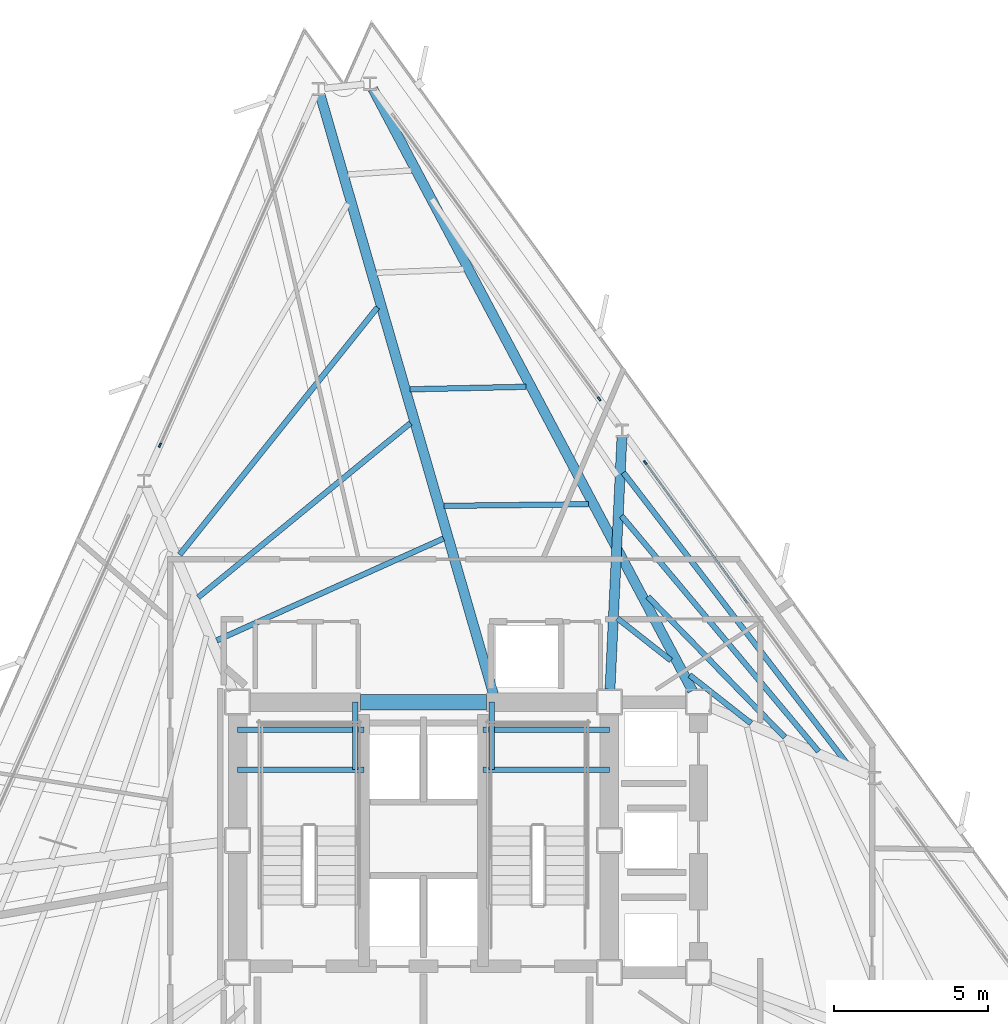
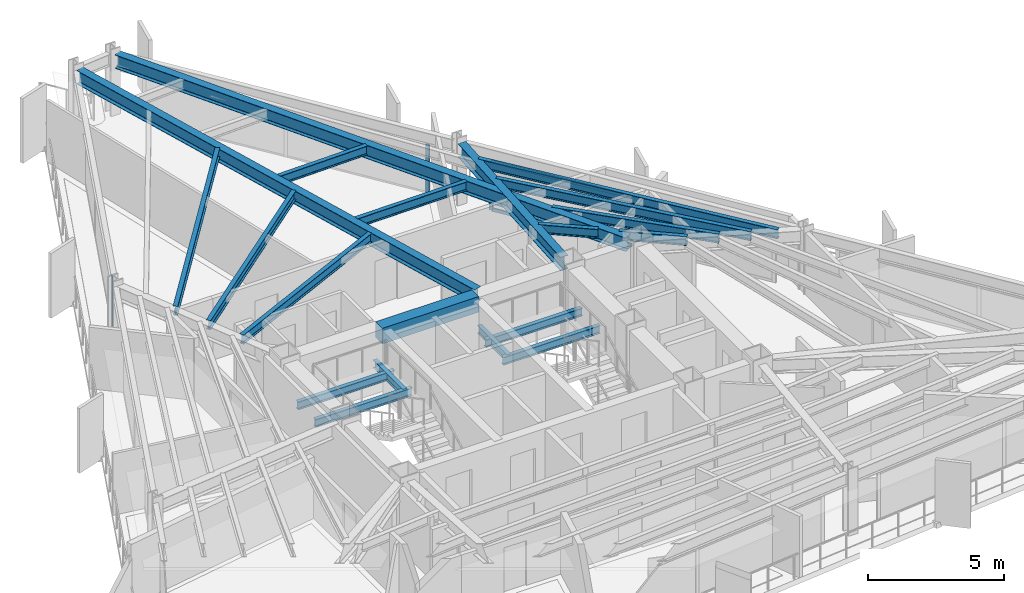
# One storey, part 4 of 12: 20 beams, 5 members, 3 elements without a shape of their own.
"""IFC4 building model written with IfcOpenShell, lengths in metres."""

from ifc_helpers import new_model, si_unit, direction, frame, origin, origin_2d, place, context, subcontext, project, spatial, rectangle, i_section, extrude, material, layer, layer_set, material_profile, profile_set, type_object, element, aggregate, save


model = new_model("IFC4")

# Units and contexts
model_context = context("Model", 3, precision=1e-05, world=origin(), true_north=direction((0.0, 1.0)))
body_context = subcontext(model_context, "Body", "Model", "MODEL_VIEW")
ifc_project = project(units=[si_unit("LENGTHUNIT", "METRE"), si_unit("AREAUNIT", "SQUARE_METRE"), si_unit("VOLUMEUNIT", "CUBIC_METRE"), si_unit("PLANEANGLEUNIT", "RADIAN"), si_unit("MASSUNIT", "GRAM", prefix="KILO")], contexts=[model_context])

# Site, building, storey
site_placement = place(None, origin())
site = spatial("IfcSite", under=ifc_project, at=site_placement, CompositionType="ELEMENT")
building_placement = place(site_placement, origin())
building = spatial("IfcBuilding", under=site, at=building_placement, Name="Rocaltana Carrier Exchange", CompositionType="ELEMENT")
storey_placement = place(building_placement, frame((0.0, 0.0, 113.760009765625)))
storey = spatial("IfcBuildingStorey", under=building, at=storey_placement, Name="L35", CompositionType="ELEMENT", Elevation=113.760009765625)

# Curtain wall, member
ifc_material_1 = material(Name="Aluminium 6063-T6", Category="aluminium")
ifc_layer = layer(ifc_material_1, 0.14990234375)
ifc_layer_set = layer_set([ifc_layer], Name="Aluminium 6063-T6")
curtain_wall_type = type_object("IfcCurtainWallType", Name="Mid-Tower Unitised Curtain Wall CW-03", PredefinedType="NOTDEFINED", material=ifc_layer_set)
curtain_wall_1_placement = place(storey_placement, origin())
curtain_wall_1 = element("IfcCurtainWall", 1, at=curtain_wall_1_placement, inside=storey, type_object=curtain_wall_type, Name="L35 CW-03 Run CW-L35-F1S2", PredefinedType="NOTDEFINED")
ifc_material_2 = material(Name="Aluminium 6063-T6", Category="aluminium")
ifc_material_profile_1 = material_profile(ifc_material_2, rectangle(XDim=0.06005859375, YDim=0.14990234375, at=origin_2d()), Name="AL-60X150")
ifc_profile_set_1 = profile_set([ifc_material_profile_1], Name="Aluminium 6063-T6")
member_type_1 = type_object("IfcMemberType", Name="CW-03 Mullion AL-60X150", PredefinedType="MULLION", material=ifc_profile_set_1)
member_1_placement = place(storey_placement, frame((7.22021484375, 12.29541015625, 0.0), z_axis=(0.0, 0.0, 1.0), x_axis=(-0.809013555195, -0.587789985889, 0.0)))
member_1 = element("IfcMember", 2, at=member_1_placement, type_object=member_type_1, Name="CW-03 mullion 3", PredefinedType="MULLION", context=body_context, shape_type="SweptSolid", body=[
    extrude(rectangle(XDim=0.06005859375, YDim=0.14990234375, at=origin_2d()), origin(), (0.0, 0.0, 1.0), 2.218017578125),
])

curtain_wall_2_placement = place(storey_placement, origin())
curtain_wall_2 = element("IfcCurtainWall", 3, at=curtain_wall_2_placement, inside=storey, type_object=curtain_wall_type, Name="L35 CW-03 Run CW-L35-F1S3", PredefinedType="NOTDEFINED")
member_2_placement = place(storey_placement, frame((5.715576171875, 14.366455078125, 0.0), z_axis=(0.0, 0.0, 1.0), x_axis=(-0.809013555195, -0.587789985889, 0.0)))
member_2 = element("IfcMember", 4, at=member_2_placement, type_object=member_type_1, Name="CW-03 mullion 1", PredefinedType="MULLION", context=body_context, shape_type="SweptSolid", body=[
    extrude(rectangle(XDim=0.06005859375, YDim=0.14990234375, at=origin_2d()), origin(), (0.0, 0.0, 1.0), 2.218017578125),
])
aggregate(curtain_wall_2, [member_2])

curtain_wall_3_placement = place(storey_placement, origin())
curtain_wall_3 = element("IfcCurtainWall", 5, at=curtain_wall_3_placement, inside=storey, type_object=curtain_wall_type, Name="L35 CW-03 Run CW-L35-F2S1", PredefinedType="NOTDEFINED")
member_3_placement = place(storey_placement, frame((-8.577392578125, 12.8642578125, 0.0), z_axis=(0.0, 0.0, 1.0), x_axis=(0.913543791084, -0.406740386206, 0.0)))
member_3 = element("IfcMember", 6, at=member_3_placement, type_object=member_type_1, Name="CW-03 mullion 3", PredefinedType="MULLION", context=body_context, shape_type="SweptSolid", body=[
    extrude(rectangle(XDim=0.06005859375, YDim=0.14990234375, at=origin_2d()), origin(), (0.0, 0.0, 1.0), 2.218017578125),
])
aggregate(curtain_wall_3, [member_3])

# Member
ifc_material_3 = material(Name="Aluminium 6063-T6", Category="aluminium")
ifc_material_profile_2 = material_profile(ifc_material_3, rectangle(XDim=0.06005859375, YDim=0.14990234375, at=origin_2d()), Name="AL-60X150")
ifc_profile_set_2 = profile_set([ifc_material_profile_2], Name="Aluminium 6063-T6")
member_type_2 = type_object("IfcMemberType", Name="CW-03 Transom AL-60X150", PredefinedType="USERDEFINED", material=ifc_profile_set_2)
member_4_placement = place(storey_placement, frame((10.554931640625, 7.70556640625, 0.030029296875), z_axis=(-0.58778321885, 0.809018471753, 0.0), x_axis=(-0.809018471753, -0.58778321885, 0.0)))
member_4 = element("IfcMember", 7, at=member_4_placement, type_object=member_type_2, Name="CW-03 transom 2.1", ObjectType="TRANSOM", PredefinedType="USERDEFINED", context=body_context, shape_type="SweptSolid", body=[
    extrude(rectangle(XDim=0.06005859375, YDim=0.14990234375, at=origin_2d()), origin(), (0.0, 0.0, 1.0), 5.6435546875),
])

member_5_placement = place(storey_placement, frame((10.554931640625, 7.70556640625, 2.18798828125), z_axis=(-0.58778321885, 0.809018471753, 0.0), x_axis=(-0.809018471753, -0.58778321885, 0.0)))
member_5 = element("IfcMember", 8, at=member_5_placement, type_object=member_type_2, Name="CW-03 transom 2.2", ObjectType="TRANSOM", PredefinedType="USERDEFINED", context=body_context, shape_type="SweptSolid", body=[
    extrude(rectangle(XDim=0.06005859375, YDim=0.14990234375, at=origin_2d()), origin(), (0.0, 0.0, 1.0), 5.6435546875),
])

aggregate(curtain_wall_1, [member_1, member_4, member_5])

# Beams
ifc_material_4 = material(Name="Concrete C60/75", Category="concrete")
ifc_material_profile_3 = material_profile(ifc_material_4, rectangle(XDim=0.5, YDim=0.699951171875, at=origin_2d()), Name="RC-BM-500X700")
ifc_profile_set_3 = profile_set([ifc_material_profile_3], Name="Concrete C60/75")
beam_type_1 = type_object("IfcBeamType", Name="Core Coupling Lintel 500x700", PredefinedType="LINTEL", material=ifc_profile_set_3)
beam_1_placement = place(storey_placement, frame((-2.050048828125, 4.5, 2.43798828125), z_axis=(1.0, 0.0, 0.0), x_axis=(0.0, 1.0, 0.0)))
element("IfcBeam", 9, at=beam_1_placement, inside=storey, type_object=beam_type_1, Name="L35 Core Coupling Lintel CL-N", PredefinedType="LINTEL", context=body_context, shape_type="SweptSolid", body=[
    extrude(rectangle(XDim=0.5, YDim=0.699951171875, at=origin_2d()), origin(), (0.0, 0.0, 1.0), 4.10009765625),
])
ifc_material_5 = material(Name="Steel S355", Category="steel")
ifc_material_profile_4 = material_profile(ifc_material_5, i_section(OverallWidth=0.172119140625, OverallDepth=0.35791015625, WebThickness=0.0078125, FlangeThickness=0.01318359375, FilletRadius=0.011962890625, at=origin_2d()), Name="W14X38")
ifc_profile_set_4 = profile_set([ifc_material_profile_4], Name="Steel S355")
beam_type_2 = type_object("IfcBeamType", Name="Floor Joist W14X38", PredefinedType="JOIST", material=ifc_profile_set_4)
for number, where, z_axis, x_axis, name in (
    (10, (-6.050048828125, 2.300048828125, 1.140869140625), (1.0, 0.0, 0.0), (0.0, 1.0, 0.0), "L35 ST-1 Landing Carrier 1"),
    (11, (1.93994140625, 2.300048828125, 1.140869140625), (1.0, 0.0, 0.0), (0.0, 1.0, 0.0), "L35 ST-2 Landing Carrier 1"),
    (12, (-6.050048828125, 3.60009765625, 1.140869140625), (1.0, 0.0, 0.0), (0.0, 1.0, 0.0), "L35 ST-1 Landing Carrier 2"),
    (13, (1.93994140625, 3.60009765625, 1.140869140625), (1.0, 0.0, 0.0), (0.0, 1.0, 0.0), "L35 ST-2 Landing Carrier 2"),
):
    element("IfcBeam", number, at=place(storey_placement, frame(where, z_axis=z_axis, x_axis=x_axis)), inside=storey, type_object=beam_type_2, Name=name, PredefinedType="JOIST", context=body_context, shape_type="SweptSolid", body=[
        extrude(i_section(OverallWidth=0.172119140625, OverallDepth=0.35791015625, WebThickness=0.0078125, FlangeThickness=0.01318359375, FilletRadius=0.011962890625, at=origin_2d()), origin(), (0.0, 0.0, 1.0), 4.110107421875),
    ])
for number, where, z_axis, x_axis, name in (
    (14, (-2.219970703125, 2.300048828125, 1.140869140625), (0.0, 1.0, 0.0), (-1.0, 0.0, 0.0), "L35 ST-1 Landing Cross Trimmer"),
    (15, (2.219970703125, 2.300048828125, 1.140869140625), (0.0, 1.0, 0.0), (-1.0, 0.0, 0.0), "L35 ST-2 Landing Cross Trimmer"),
):
    element("IfcBeam", number, at=place(storey_placement, frame(where, z_axis=z_axis, x_axis=x_axis)), inside=storey, type_object=beam_type_2, Name=name, PredefinedType="JOIST", context=body_context, shape_type="SweptSolid", body=[
        extrude(i_section(OverallWidth=0.172119140625, OverallDepth=0.35791015625, WebThickness=0.0078125, FlangeThickness=0.01318359375, FilletRadius=0.011962890625, at=origin_2d()), origin(), (0.0, 0.0, 1.0), 2.199951171875),
    ])
ifc_material_6 = material(Name="Steel S355", Category="steel")
ifc_material_profile_5 = material_profile(ifc_material_6, i_section(OverallWidth=0.179931640625, OverallDepth=0.4130859375, WebThickness=0.009765625, FlangeThickness=0.01611328125, FilletRadius=0.012939453125, at=origin_2d()), Name="W16X50")
ifc_profile_set_5 = profile_set([ifc_material_profile_5], Name="Steel S355")
beam_type_3 = type_object("IfcBeamType", Name="Floor Joist W16X50", PredefinedType="JOIST", material=ifc_profile_set_5)
beam_2_placement = place(storey_placement, frame((10.66015625, 3.806640625, 2.58154296875), z_axis=(-0.786171683664, 0.618008158365, 0.0), x_axis=(-0.618008158365, -0.786171683664, 0.0)))
element("IfcBeam", 16, at=beam_2_placement, inside=storey, type_object=beam_type_3, Name="FJ-L35-02-1S1", PredefinedType="JOIST", context=body_context, shape_type="SweptSolid", body=[
    extrude(i_section(OverallWidth=0.179931640625, OverallDepth=0.4130859375, WebThickness=0.009765625, FlangeThickness=0.01611328125, FilletRadius=0.012939453125, at=origin_2d()), origin(), (0.0, 0.0, 1.0), 2.5419921875),
])
beam_3_placement = place(storey_placement, frame((8.051025390625, 5.85791015625, 2.58154296875), z_axis=(-0.786142704991, 0.61804502052, 0.0), x_axis=(-0.61804502052, -0.786142704991, 0.0)))
element("IfcBeam", 17, at=beam_3_placement, inside=storey, type_object=beam_type_3, Name="FJ-L35-02-1S2", PredefinedType="JOIST", context=body_context, shape_type="SweptSolid", body=[
    extrude(i_section(OverallWidth=0.179931640625, OverallDepth=0.4130859375, WebThickness=0.009765625, FlangeThickness=0.01611328125, FilletRadius=0.012939453125, at=origin_2d()), origin(), (0.0, 0.0, 1.0), 2.21923828125),
])
beam_4_placement = place(storey_placement, frame((11.76220703125, 3.35302734375, 2.58154296875), z_axis=(-0.697417522087, 0.716665054182, 0.0), x_axis=(-0.716665054182, -0.697417522087, 0.0)))
element("IfcBeam", 18, at=beam_4_placement, inside=storey, type_object=beam_type_3, Name="FJ-L35-02-2", PredefinedType="JOIST", context=body_context, shape_type="SweptSolid", body=[
    extrude(i_section(OverallWidth=0.179931640625, OverallDepth=0.4130859375, WebThickness=0.009765625, FlangeThickness=0.01611328125, FilletRadius=0.012939453125, at=origin_2d()), origin(), (0.0, 0.0, 1.0), 6.392822265625),
])
beam_5_placement = place(storey_placement, frame((12.85888671875, 2.891845703125, 2.58154296875), z_axis=(-0.641626502417, 0.767017230182, 0.0), x_axis=(-0.767017230182, -0.641626502417, 0.0)))
element("IfcBeam", 19, at=beam_5_placement, inside=storey, type_object=beam_type_3, Name="FJ-L35-02-3", PredefinedType="JOIST", context=body_context, shape_type="SweptSolid", body=[
    extrude(i_section(OverallWidth=0.179931640625, OverallDepth=0.4130859375, WebThickness=0.009765625, FlangeThickness=0.01611328125, FilletRadius=0.012939453125, at=origin_2d()), origin(), (0.0, 0.0, 1.0), 10.0),
])
beam_6_placement = place(storey_placement, frame((13.7802734375, 2.5009765625, 2.58154296875), z_axis=(-0.60925224181, 0.792976485054, 0.0), x_axis=(-0.792976485054, -0.60925224181, 0.0)))
element("IfcBeam", 20, at=beam_6_placement, inside=storey, type_object=beam_type_3, Name="FJ-L35-02-4", PredefinedType="JOIST", context=body_context, shape_type="SweptSolid", body=[
    extrude(i_section(OverallWidth=0.179931640625, OverallDepth=0.4130859375, WebThickness=0.009765625, FlangeThickness=0.01611328125, FilletRadius=0.012939453125, at=origin_2d()), origin(), (0.0, 0.0, 1.0), 11.9423828125),
])
beam_7_placement = place(storey_placement, frame((5.372802734375, 10.93994140625, 2.58154296875), z_axis=(-0.999937391673, -0.01118984958, 0.0), x_axis=(0.01118984958, -0.999937391673, 0.0)))
element("IfcBeam", 21, at=beam_7_placement, inside=storey, type_object=beam_type_3, Name="FJ-L35-04-1", PredefinedType="JOIST", context=body_context, shape_type="SweptSolid", body=[
    extrude(i_section(OverallWidth=0.179931640625, OverallDepth=0.4130859375, WebThickness=0.009765625, FlangeThickness=0.01611328125, FilletRadius=0.012939453125, at=origin_2d()), origin(), (0.0, 0.0, 1.0), 4.712646484375),
])
beam_8_placement = place(storey_placement, frame((3.34130859375, 14.762939453125, 2.58154296875), z_axis=(-0.999758539531, -0.02197413559, 0.0), x_axis=(0.02197413559, -0.999758539531, 0.0)))
element("IfcBeam", 22, at=beam_8_placement, inside=storey, type_object=beam_type_3, Name="FJ-L35-04-2", PredefinedType="JOIST", context=body_context, shape_type="SweptSolid", body=[
    extrude(i_section(OverallWidth=0.179931640625, OverallDepth=0.4130859375, WebThickness=0.009765625, FlangeThickness=0.01611328125, FilletRadius=0.012939453125, at=origin_2d()), origin(), (0.0, 0.0, 1.0), 3.777587890625),
])
beam_9_placement = place(storey_placement, frame((0.650390625, 9.82373046875, 2.58154296875), z_axis=(-0.912122924313, -0.409916785388, 0.0), x_axis=(0.409916785388, -0.912122924313, 0.0)))
element("IfcBeam", 23, at=beam_9_placement, inside=storey, type_object=beam_type_3, Name="FJ-L35-05-1", PredefinedType="JOIST", context=body_context, shape_type="SweptSolid", body=[
    extrude(i_section(OverallWidth=0.179931640625, OverallDepth=0.4130859375, WebThickness=0.009765625, FlangeThickness=0.01611328125, FilletRadius=0.012939453125, at=origin_2d()), origin(), (0.0, 0.0, 1.0), 8.09228515625),
])
beam_10_placement = place(storey_placement, frame((-0.423583984375, 13.579833984375, 2.58154296875), z_axis=(-0.772904703417, -0.634522118949, 0.0), x_axis=(0.634522118949, -0.772904703417, 0.0)))
element("IfcBeam", 24, at=beam_10_placement, inside=storey, type_object=beam_type_3, Name="FJ-L35-05-2", PredefinedType="JOIST", context=body_context, shape_type="SweptSolid", body=[
    extrude(i_section(OverallWidth=0.179931640625, OverallDepth=0.4130859375, WebThickness=0.009765625, FlangeThickness=0.01611328125, FilletRadius=0.012939453125, at=origin_2d()), origin(), (0.0, 0.0, 1.0), 8.937744140625),
])
beam_11_placement = place(storey_placement, frame((-1.49609375, 17.348388671875, 2.58154296875), z_axis=(-0.624570833633, -0.78096816438, 0.0), x_axis=(0.78096816438, -0.624570833633, 0.0)))
element("IfcBeam", 25, at=beam_11_placement, inside=storey, type_object=beam_type_3, Name="FJ-L35-05-3", PredefinedType="JOIST", context=body_context, shape_type="SweptSolid", body=[
    extrude(i_section(OverallWidth=0.179931640625, OverallDepth=0.4130859375, WebThickness=0.009765625, FlangeThickness=0.01611328125, FilletRadius=0.012939453125, at=origin_2d()), origin(), (0.0, 0.0, 1.0), 10.307373046875),
])
ifc_material_7 = material(Name="Steel S355", Category="steel")
ifc_material_profile_6 = material_profile(ifc_material_7, i_section(OverallWidth=0.323974609375, OverallDepth=0.611083984375, WebThickness=0.0126953125, FlangeThickness=0.01904296875, FilletRadius=0.01611328125, at=origin_2d()), Name="W24X104")
ifc_profile_set_6 = profile_set([ifc_material_profile_6], Name="Steel S355")
beam_type_4 = type_object("IfcBeamType", Name="Radial Girder W24X104", PredefinedType="BEAM", material=ifc_profile_set_6)
beam_12_placement = place(storey_placement, frame((6.069580078125, 4.91650390625, 2.482421875), z_axis=(0.047278898031, 0.998881727634, 0.0), x_axis=(-0.998881727634, 0.047278898031, 0.0)))
element("IfcBeam", 26, at=beam_12_placement, inside=storey, type_object=beam_type_4, Name="RG-L35-03", PredefinedType="BEAM", context=body_context, shape_type="SweptSolid", body=[
    extrude(i_section(OverallWidth=0.323974609375, OverallDepth=0.611083984375, WebThickness=0.0126953125, FlangeThickness=0.01904296875, FilletRadius=0.01611328125, at=origin_2d()), origin(), (0.0, 0.0, 1.0), 8.22607421875),
])
beam_13_placement = place(storey_placement, frame((8.75439453125, 4.868408203125, 2.482421875), z_axis=(-0.469068298705, 0.883161894077, 0.0), x_axis=(-0.883161894077, -0.469068298705, 0.0)))
element("IfcBeam", 27, at=beam_13_placement, inside=storey, type_object=beam_type_4, Name="RG-L35-04", PredefinedType="BEAM", context=body_context, shape_type="SweptSolid", body=[
    extrude(i_section(OverallWidth=0.323974609375, OverallDepth=0.611083984375, WebThickness=0.0126953125, FlangeThickness=0.01904296875, FilletRadius=0.01611328125, at=origin_2d()), origin(), (0.0, 0.0, 1.0), 22.17822265625),
])
beam_14_placement = place(storey_placement, frame((2.28271484375, 4.732421875, 2.482421875), z_axis=(-0.277657134471, 0.960680235915, 0.0), x_axis=(-0.960680235915, -0.277657134471, 0.0)))
element("IfcBeam", 28, at=beam_14_placement, inside=storey, type_object=beam_type_4, Name="RG-L35-05", PredefinedType="BEAM", context=body_context, shape_type="SweptSolid", body=[
    extrude(i_section(OverallWidth=0.323974609375, OverallDepth=0.611083984375, WebThickness=0.0126953125, FlangeThickness=0.01904296875, FilletRadius=0.01611328125, at=origin_2d()), origin(), (0.0, 0.0, 1.0), 20.330810546875),
])

save(model, "model.ifc")
